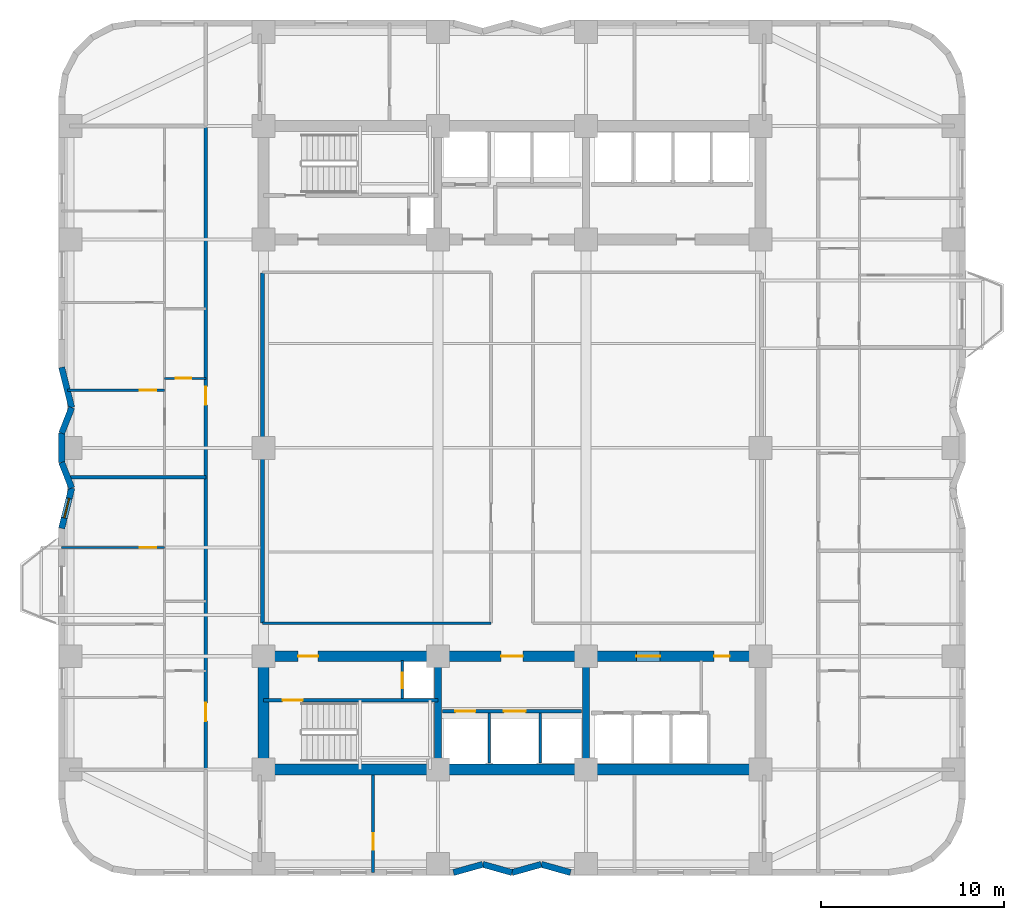
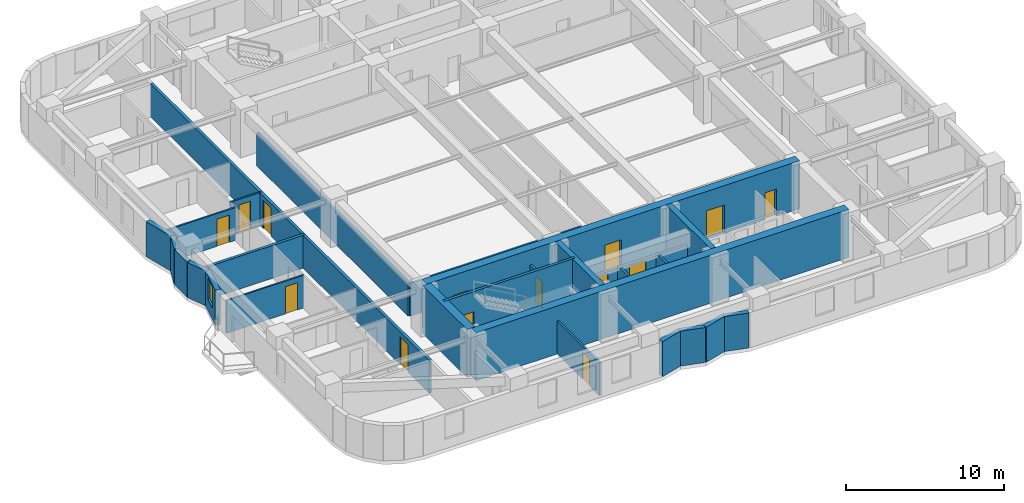
# One storey, part 3 of 9: 27 walls, 14 doors, 1 window, 15 openings.
"""IFC4 building model written with IfcOpenShell, lengths in metres."""

from ifc_helpers import new_model, si_unit, direction, frame, frame_2d, origin, place, context, subcontext, project, spatial, rectangle, extrude, material, layer, layer_set, type_object, element, fill, save


model = new_model("IFC4")

# Units and contexts
model_context = context("Model", 3, precision=1e-05, world=origin(), true_north=direction((0.0, 1.0)))
body_context = subcontext(model_context, "Body", "Model", "MODEL_VIEW")
ifc_project = project(units=[si_unit("LENGTHUNIT", "METRE"), si_unit("AREAUNIT", "SQUARE_METRE"), si_unit("VOLUMEUNIT", "CUBIC_METRE"), si_unit("PLANEANGLEUNIT", "RADIAN"), si_unit("MASSUNIT", "GRAM", prefix="KILO")], contexts=[model_context])

# Site, building, storey
site_placement = place(None, origin())
site = spatial("IfcSite", under=ifc_project, at=site_placement, CompositionType="ELEMENT")
building_placement = place(site_placement, origin())
building = spatial("IfcBuilding", under=site, at=building_placement, Name="Svetorya Sky Lyceum", CompositionType="ELEMENT")
storey_placement = place(building_placement, frame((0.0, 0.0, 32.5)))
storey = spatial("IfcBuildingStorey", under=building, at=storey_placement, Name="L07", CompositionType="ELEMENT", Elevation=32.5)

# Walls
ifc_material_1 = material(Name="Concrete C40/50", Category="concrete")
ifc_layer_1 = layer(ifc_material_1, 0.39990234375)
ifc_layer_set_1 = layer_set([ifc_layer_1], Name="Concrete C40/50")
wall_type_1 = type_object("IfcWallType", Name="WL-CORE-400", PredefinedType="SHEAR", material=ifc_layer_set_1)
for number, where, z_axis, x_axis, name in (
    (1, (35.14990234375, 10.89990234375, 0.0), (0.0, 0.0, 1.0), (0.0, 1.0, 0.0), "L07 SC Internal Shear Web WEB1"),
    (2, (43.25, 10.89990234375, 0.0), (0.0, 0.0, 1.0), (0.0, 1.0, 0.0), "L07 SC Internal Shear Web WEB2"),
):
    element("IfcWall", number, at=place(storey_placement, frame(where, z_axis=z_axis, x_axis=x_axis)), inside=storey, type_object=wall_type_1, Name=name, PredefinedType="SHEAR", context=body_context, shape_type="SweptSolid", body=[
        extrude(rectangle(XDim=5.60009765625, YDim=0.39990234375, at=frame_2d((2.800048828125, 0.0))), origin(), (0.0, 0.0, 1.0), 3.699951171875),
    ])
ifc_material_2 = material(Name="Concrete C60/75", Category="concrete")
ifc_layer_2 = layer(ifc_material_2, 0.60009765625)
ifc_layer_set_2 = layer_set([ifc_layer_2], Name="Concrete C60/75")
wall_type_2 = type_object("IfcWallType", Name="WL-CORE-600", PredefinedType="SHEAR", material=ifc_layer_set_2)
wall_1_placement = place(storey_placement, frame((52.800048828125, 10.60009765625, 0.0), z_axis=(0.0, 0.0, 1.0), x_axis=(-1.0, 0.0, 0.0)))
element("IfcWall", 3, at=wall_1_placement, inside=storey, type_object=wall_type_2, Name="L07 SC Outer Core Shear Wall", PredefinedType="SHEAR", context=body_context, shape_type="SweptSolid", body=[
    extrude(rectangle(XDim=27.199951171875, YDim=0.60009765625, at=frame_2d((13.60009765625, 0.0))), origin(), (0.0, 0.0, 1.0), 3.699951171875),
])
wall_2_placement = place(storey_placement, frame((25.60009765625, 10.89990234375, 0.0), z_axis=(0.0, 0.0, 1.0), x_axis=(0.0, 1.0, 0.0)))
element("IfcWall", 4, at=wall_2_placement, inside=storey, type_object=wall_type_2, Name="L07 SC West Core Shear Wall", PredefinedType="SHEAR", context=body_context, shape_type="SweptSolid", body=[
    extrude(rectangle(XDim=5.60009765625, YDim=0.60009765625, at=frame_2d((2.800048828125, 0.0))), origin(), (0.0, 0.0, 1.0), 3.699951171875),
])

# Wall, openings, doors
wall_3_placement = place(storey_placement, frame((25.60009765625, 16.800048828125, 0.0), z_axis=(0.0, 0.0, 1.0), x_axis=(1.0, 0.0, 0.0)))
wall_3 = element("IfcWall", 5, at=wall_3_placement, inside=storey, type_object=wall_type_2, Name="L07 SC Inner Core Shear Wall", PredefinedType="SHEAR", context=body_context, shape_type="SweptSolid", body=[
    extrude(rectangle(XDim=27.199951171875, YDim=0.60009765625, at=frame_2d((13.60009765625, 0.0))), origin(), (0.0, 0.0, 1.0), 3.699951171875),
])
opening_1_placement = place(wall_3_placement, frame((1.89990234375, 0.0, 0.0)))
opening_1 = element("IfcOpeningElement", 6, at=opening_1_placement, cuts=wall_3, Name="Opening D-ST1", PredefinedType="OPENING", context=body_context, shape_type="SweptSolid", body=[
    extrude(rectangle(XDim=1.10009765625, YDim=2.14990234375, at=frame_2d((0.550048828125, 1.074951171875))), frame((0.0, 0.31005859375, 0.0), z_axis=(0.0, -1.0, 0.0), x_axis=(1.0, 0.0, 0.0)), (0.0, 0.0, 1.0), 0.6201171875),
])
opening_2_placement = place(wall_3_placement, frame((13.0, 0.0, 0.0)))
opening_2 = element("IfcOpeningElement", 7, at=opening_2_placement, cuts=wall_3, Name="Opening D-FL1", PredefinedType="OPENING", context=body_context, shape_type="SweptSolid", body=[
    extrude(rectangle(XDim=1.199951171875, YDim=2.14990234375, at=frame_2d((0.60009765625, 1.074951171875))), frame((0.0, 0.31005859375, 0.0), z_axis=(0.0, -1.0, 0.0), x_axis=(1.0, 0.0, 0.0)), (0.0, 0.0, 1.0), 0.6201171875),
])
opening_3_placement = place(wall_3_placement, frame((20.39990234375, 0.0, 0.0)))
opening_3 = element("IfcOpeningElement", 8, at=opening_3_placement, cuts=wall_3, Name="Opening D-LB1", PredefinedType="OPENING", context=body_context, shape_type="SweptSolid", body=[
    extrude(rectangle(XDim=1.300048828125, YDim=2.199951171875, at=frame_2d((0.64990234375, 1.10009765625))), frame((0.0, 0.31005859375, 0.0), z_axis=(0.0, -1.0, 0.0), x_axis=(1.0, 0.0, 0.0)), (0.0, 0.0, 1.0), 0.6201171875),
])
opening_4_placement = place(wall_3_placement, frame((24.64990234375, 0.0, 0.0)))
opening_4 = element("IfcOpeningElement", 9, at=opening_4_placement, cuts=wall_3, Name="Opening D-CWC1", PredefinedType="OPENING", context=body_context, shape_type="SweptSolid", body=[
    extrude(rectangle(XDim=0.85009765625, YDim=2.10009765625, at=frame_2d((0.425048828125, 1.050048828125))), frame((0.0, 0.31005859375, 0.0), z_axis=(0.0, -1.0, 0.0), x_axis=(1.0, 0.0, 0.0)), (0.0, 0.0, 1.0), 0.6201171875),
])
ifc_material_3 = material(Name="Fire-rated galvanized steel core service closet door", Category="steel")
door_type_1 = type_object("IfcDoorType", Name="DR-CWET-850", OperationType="SINGLE_SWING_LEFT", PredefinedType="DOOR", material=ifc_material_3)
door_1_placement = place(opening_4_placement, origin())
door_1 = element("IfcDoor", 10, at=door_1_placement, inside=storey, type_object=door_type_1, Name="L07 South Core Auxiliary Door", OperationType="SINGLE_SWING_LEFT", OverallHeight=2.10009765625, OverallWidth=0.85009765625, PredefinedType="DOOR", context=body_context, shape_type="SweptSolid", body=[
    extrude(rectangle(XDim=0.85009765625, YDim=2.10009765625, at=frame_2d((0.425048828125, 1.050048828125))), frame((0.0, 0.02490234375, 0.0), z_axis=(0.0, -1.0, 0.0), x_axis=(1.0, 0.0, 0.0)), (0.0, 0.0, 1.0), 0.050048828125),
])
fill(opening_4, door_1)
ifc_material_4 = material(Name="Powder-coated insulated galvanized stair fire door")
door_type_2 = type_object("IfcDoorType", Name="DR-FIRE-1100", OperationType="SINGLE_SWING_LEFT", PredefinedType="DOOR", material=ifc_material_4)
door_2_placement = place(opening_1_placement, origin())
door_2 = element("IfcDoor", 11, at=door_2_placement, inside=storey, type_object=door_type_2, Name="L07 South Stair Airlock Door", OperationType="SINGLE_SWING_RIGHT", OverallHeight=2.14990234375, OverallWidth=1.10009765625, PredefinedType="DOOR", context=body_context, shape_type="SweptSolid", body=[
    extrude(rectangle(XDim=1.10009765625, YDim=2.14990234375, at=frame_2d((0.550048828125, 1.074951171875))), frame((0.0, 0.02490234375, 0.0), z_axis=(0.0, -1.0, 0.0), x_axis=(1.0, 0.0, 0.0)), (0.0, 0.0, 1.0), 0.050048828125),
])
fill(opening_1, door_2)
ifc_material_5 = material(Name="Powder-coated insulated galvanized fire door")
door_type_3 = type_object("IfcDoorType", Name="DR-FIRE-1200", OperationType="SINGLE_SWING_LEFT", PredefinedType="DOOR", material=ifc_material_5)
door_3_placement = place(opening_2_placement, origin())
door_3 = element("IfcDoor", 12, at=door_3_placement, inside=storey, type_object=door_type_3, Name="L07 South Firefighting Lift Lobby Door", OperationType="SINGLE_SWING_LEFT", OverallHeight=2.14990234375, OverallWidth=1.199951171875, PredefinedType="DOOR", context=body_context, shape_type="SweptSolid", body=[
    extrude(rectangle(XDim=1.199951171875, YDim=2.14990234375, at=frame_2d((0.60009765625, 1.074951171875))), frame((0.0, 0.02490234375, 0.0), z_axis=(0.0, -1.0, 0.0), x_axis=(1.0, 0.0, 0.0)), (0.0, 0.0, 1.0), 0.050048828125),
])
fill(opening_2, door_3)
ifc_material_6 = material(Name="Glazed fire-rated aluminium lobby door", Category="aluminium")
door_type_4 = type_object("IfcDoorType", Name="DR-LOB-1300", OperationType="SINGLE_SWING_LEFT", PredefinedType="DOOR", material=ifc_material_6)
door_4_placement = place(opening_3_placement, origin())
door_4 = element("IfcDoor", 13, at=door_4_placement, inside=storey, type_object=door_type_4, Name="L07 Low-Rise Lift Lobby Door", OperationType="SINGLE_SWING_RIGHT", OverallHeight=2.199951171875, OverallWidth=1.300048828125, PredefinedType="DOOR", context=body_context, shape_type="SweptSolid", body=[
    extrude(rectangle(XDim=1.300048828125, YDim=2.199951171875, at=frame_2d((0.64990234375, 1.10009765625))), frame((0.0, 0.02490234375, 0.0), z_axis=(0.0, -1.0, 0.0), x_axis=(1.0, 0.0, 0.0)), (0.0, 0.0, 1.0), 0.050048828125),
])
fill(opening_3, door_4)

# Walls
ifc_material_7 = material(Name="Putilovo limestone rainscreen on autoclaved cellular masonry", Category="masonry")
ifc_layer_3 = layer(ifc_material_7, 0.340087890625)
ifc_layer_set_3 = layer_set([ifc_layer_3], Name="Putilovo limestone rainscreen on autoclaved cellular masonry")
wall_type_3 = type_object("IfcWallType", Name="WL-EXT-340", PredefinedType="SOLIDWALL", material=ifc_layer_set_3)
wall_4_placement = place(storey_placement, frame((36.0, 4.969970703125, 0.0), z_axis=(0.0, 0.0, 1.0), x_axis=(0.962662902433, 0.270703040766, 0.0)))
element("IfcWall", 14, at=wall_4_placement, inside=storey, type_object=wall_type_3, Name="L07 Limestone Exterior Wall 7M", PredefinedType="SOLIDWALL", context=body_context, shape_type="SweptSolid", body=[
    extrude(rectangle(XDim=1.662109375, YDim=0.340087890625, at=frame_2d((0.8310546875, 0.0))), origin(), (0.0, 0.0, 1.0), 2.699951171875),
])
wall_5_placement = place(storey_placement, frame((37.60009765625, 5.419921875, 0.0), z_axis=(0.0, 0.0, 1.0), x_axis=(0.962652136636, -0.270741322725, 0.0)))
element("IfcWall", 15, at=wall_5_placement, inside=storey, type_object=wall_type_3, Name="L07 Limestone Exterior Wall 8M", PredefinedType="SOLIDWALL", context=body_context, shape_type="SweptSolid", body=[
    extrude(rectangle(XDim=1.661865234375, YDim=0.340087890625, at=frame_2d((0.8310546875, 0.0))), origin(), (0.0, 0.0, 1.0), 2.699951171875),
])
wall_6_placement = place(storey_placement, frame((39.199951171875, 4.969970703125, 0.0), z_axis=(0.0, 0.0, 1.0), x_axis=(0.962662902433, 0.270703040766, 0.0)))
element("IfcWall", 16, at=wall_6_placement, inside=storey, type_object=wall_type_3, Name="L07 Limestone Exterior Wall 9M", PredefinedType="SOLIDWALL", context=body_context, shape_type="SweptSolid", body=[
    extrude(rectangle(XDim=1.662109375, YDim=0.340087890625, at=frame_2d((0.8310546875, 0.0))), origin(), (0.0, 0.0, 1.0), 2.699951171875),
])
wall_7_placement = place(storey_placement, frame((40.800048828125, 5.419921875, 0.0), z_axis=(0.0, 0.0, 1.0), x_axis=(0.962652136636, -0.270741322725, 0.0)))
element("IfcWall", 17, at=wall_7_placement, inside=storey, type_object=wall_type_3, Name="L07 Limestone Exterior Wall 10M", PredefinedType="SOLIDWALL", context=body_context, shape_type="SweptSolid", body=[
    extrude(rectangle(XDim=1.661865234375, YDim=0.340087890625, at=frame_2d((0.8310546875, 0.0))), origin(), (0.0, 0.0, 1.0), 2.699951171875),
])
wall_8_placement = place(storey_placement, frame((14.570068359375, 32.60009765625, 0.0), z_axis=(0.0, 0.0, 1.0), x_axis=(0.242535625036, -0.970142500145, 0.0)))
element("IfcWall", 18, at=wall_8_placement, inside=storey, type_object=wall_type_3, Name="L07 Limestone Exterior Wall 41M", PredefinedType="SOLIDWALL", context=body_context, shape_type="SweptSolid", body=[
    extrude(rectangle(XDim=2.267822265625, YDim=0.340087890625, at=frame_2d((1.1337890625, 0.0))), origin(), (0.0, 0.0, 1.0), 2.699951171875),
])
wall_9_placement = place(storey_placement, frame((15.1201171875, 30.39990234375, 0.0), z_axis=(0.0, 0.0, 1.0), x_axis=(-0.365702591843, -0.930731762818, 0.0)))
element("IfcWall", 19, at=wall_9_placement, inside=storey, type_object=wall_type_3, Name="L07 Limestone Exterior Wall 42M", PredefinedType="SOLIDWALL", context=body_context, shape_type="SweptSolid", body=[
    extrude(rectangle(XDim=1.504150390625, YDim=0.340087890625, at=frame_2d((0.751953125, 0.0))), origin(), (0.0, 0.0, 1.0), 2.699951171875),
])
wall_10_placement = place(storey_placement, frame((14.570068359375, 29.0, 0.0), z_axis=(0.0, 0.0, 1.0), x_axis=(0.0, -1.0, 0.0)))
element("IfcWall", 20, at=wall_10_placement, inside=storey, type_object=wall_type_3, Name="L07 Limestone Exterior Wall 43M", PredefinedType="SOLIDWALL", context=body_context, shape_type="SweptSolid", body=[
    extrude(rectangle(XDim=1.60009765625, YDim=0.340087890625, at=frame_2d((0.800048828125, 0.0))), origin(), (0.0, 0.0, 1.0), 2.699951171875),
])
wall_11_placement = place(storey_placement, frame((14.570068359375, 27.39990234375, 0.0), z_axis=(0.0, 0.0, 1.0), x_axis=(0.365702591843, -0.930731762818, 0.0)))
element("IfcWall", 21, at=wall_11_placement, inside=storey, type_object=wall_type_3, Name="L07 Limestone Exterior Wall 44M", PredefinedType="SOLIDWALL", context=body_context, shape_type="SweptSolid", body=[
    extrude(rectangle(XDim=1.504150390625, YDim=0.340087890625, at=frame_2d((0.751953125, 0.0))), origin(), (0.0, 0.0, 1.0), 2.699951171875),
])

# Wall, opening, window
wall_12_placement = place(storey_placement, frame((15.1201171875, 26.0, 0.0), z_axis=(0.0, 0.0, 1.0), x_axis=(-0.242560957029, -0.970136166796, 0.0)))
wall_12 = element("IfcWall", 22, at=wall_12_placement, inside=storey, type_object=wall_type_3, Name="L07 Limestone Exterior Wall 45M", PredefinedType="SOLIDWALL", context=body_context, shape_type="SweptSolid", body=[
    extrude(rectangle(XDim=2.267578125, YDim=0.340087890625, at=frame_2d((1.1337890625, 0.0))), origin(), (0.0, 0.0, 1.0), 2.699951171875),
])
opening_5_placement = place(wall_12_placement, frame((0.583984375, 0.0, 0.889892578125)))
opening_5 = element("IfcOpeningElement", 23, at=opening_5_placement, cuts=wall_12, Name="Opening W-R3", PredefinedType="OPENING", context=body_context, shape_type="SweptSolid", body=[
    extrude(rectangle(XDim=1.10009765625, YDim=1.64990234375, at=frame_2d((0.550048828125, 0.824951171875))), frame((0.0, 0.179931640625, 0.0), z_axis=(0.0, -1.0, 0.0), x_axis=(1.0, 0.0, 0.0)), (0.0, 0.0, 1.0), 0.360107421875),
])
ifc_material_8 = material(Name="Thermally broken aluminium frame with triple low-E glazing", Category="aluminium")
window_type = type_object("IfcWindowType", Name="WN-RES-110", PartitioningType="SINGLE_PANEL", PredefinedType="WINDOW", material=ifc_material_8)
window_placement = place(opening_5_placement, origin())
window = element("IfcWindow", 24, at=window_placement, inside=storey, type_object=window_type, Name="L07 Facade Window W-R3.45M.1", OverallHeight=1.64990234375, OverallWidth=1.10009765625, PartitioningType="SINGLE_PANEL", PredefinedType="WINDOW", context=body_context, shape_type="SweptSolid", body=[
    extrude(rectangle(XDim=1.10009765625, YDim=1.64990234375, at=frame_2d((0.550048828125, 0.824951171875))), frame((0.0, 0.030029296875, 0.0), z_axis=(0.0, -1.0, 0.0), x_axis=(1.0, 0.0, 0.0)), (0.0, 0.0, 1.0), 0.06005859375),
])
fill(opening_5, window)

# Wall, opening, door
ifc_material_9 = material(Name="Twin-stud galvanized framing with double fireboard", Category="gypsum")
ifc_layer_4 = layer(ifc_material_9, 0.1201171875)
ifc_layer_set_4 = layer_set([ifc_layer_4], Name="Twin-stud galvanized framing with double fireboard")
wall_type_4 = type_object("IfcWallType", Name="WL-PART-120", PredefinedType="PARTITIONING", material=ifc_layer_set_4)
wall_13_placement = place(storey_placement, frame((14.570068359375, 22.75, 0.0), z_axis=(0.0, 0.0, 1.0), x_axis=(1.0, 0.0, 0.0)))
wall_13 = element("IfcWall", 25, at=wall_13_placement, inside=storey, type_object=wall_type_4, Name="L07 Interior Partition W1-WL3", PredefinedType="PARTITIONING", context=body_context, shape_type="SweptSolid", body=[
    extrude(rectangle(XDim=5.6298828125, YDim=0.1201171875, at=frame_2d((2.81494140625, 0.0))), origin(), (0.0, 0.0, 1.0), 2.530029296875),
])
opening_6_placement = place(wall_13_placement, frame((4.280029296875, 0.0, 0.0)))
opening_6 = element("IfcOpeningElement", 26, at=opening_6_placement, cuts=wall_13, Name="Opening D-RM1", PredefinedType="OPENING", context=body_context, shape_type="SweptSolid", body=[
    extrude(rectangle(XDim=0.89990234375, YDim=2.10009765625, at=frame_2d((0.449951171875, 1.050048828125))), frame((0.0, 0.070068359375, 0.0), z_axis=(0.0, -1.0, 0.0), x_axis=(1.0, 0.0, 0.0)), (0.0, 0.0, 1.0), 0.14013671875),
])
ifc_material_10 = material(Name="Lacquered birch veneer internal door")
door_type_5 = type_object("IfcDoorType", Name="DR-INT-900", OperationType="SINGLE_SWING_LEFT", PredefinedType="DOOR", material=ifc_material_10)
door_5_placement = place(opening_6_placement, origin())
door_5 = element("IfcDoor", 27, at=door_5_placement, inside=storey, type_object=door_type_5, Name="Apartment W1 Bedroom 3 Door", OperationType="SINGLE_SWING_LEFT", OverallHeight=2.10009765625, OverallWidth=0.89990234375, PredefinedType="DOOR", context=body_context, shape_type="SweptSolid", body=[
    extrude(rectangle(XDim=0.89990234375, YDim=2.10009765625, at=frame_2d((0.449951171875, 1.050048828125))), frame((0.0, 0.02490234375, 0.0), z_axis=(0.0, -1.0, 0.0), x_axis=(1.0, 0.0, 0.0)), (0.0, 0.0, 1.0), 0.050048828125),
])
fill(opening_6, door_5)

wall_14_placement = place(storey_placement, frame((20.199951171875, 32.0, 0.0), z_axis=(0.0, 0.0, 1.0), x_axis=(1.0, 0.0, 0.0)))
wall_14 = element("IfcWall", 28, at=wall_14_placement, inside=storey, type_object=wall_type_4, Name="L07 Interior Partition W2-WH1", PredefinedType="PARTITIONING", context=body_context, shape_type="SweptSolid", body=[
    extrude(rectangle(XDim=2.25, YDim=0.1201171875, at=frame_2d((1.125, 0.0))), origin(), (0.0, 0.0, 1.0), 2.530029296875),
])
opening_7_placement = place(wall_14_placement, frame((0.60009765625, 0.0, 0.0)))
opening_7 = element("IfcOpeningElement", 29, at=opening_7_placement, cuts=wall_14, Name="Opening D-BT1", PredefinedType="OPENING", context=body_context, shape_type="SweptSolid", body=[
    extrude(rectangle(XDim=0.85009765625, YDim=2.10009765625, at=frame_2d((0.425048828125, 1.050048828125))), frame((0.0, 0.070068359375, 0.0), z_axis=(0.0, -1.0, 0.0), x_axis=(1.0, 0.0, 0.0)), (0.0, 0.0, 1.0), 0.14013671875),
])
ifc_material_11 = material(Name="Moisture-resistant laminate bathroom door")
door_type_6 = type_object("IfcDoorType", Name="DR-WET-850", OperationType="SINGLE_SWING_LEFT", PredefinedType="DOOR", material=ifc_material_11)
door_6_placement = place(opening_7_placement, origin())
door_6 = element("IfcDoor", 30, at=door_6_placement, inside=storey, type_object=door_type_6, Name="Apartment W2 Bathroom Door", OperationType="SINGLE_SWING_RIGHT", OverallHeight=2.10009765625, OverallWidth=0.85009765625, PredefinedType="DOOR", context=body_context, shape_type="SweptSolid", body=[
    extrude(rectangle(XDim=0.85009765625, YDim=2.10009765625, at=frame_2d((0.425048828125, 1.050048828125))), frame((0.0, 0.02490234375, 0.0), z_axis=(0.0, -1.0, 0.0), x_axis=(1.0, 0.0, 0.0)), (0.0, 0.0, 1.0), 0.050048828125),
])
fill(opening_7, door_6)

wall_15_placement = place(storey_placement, frame((14.882568359375, 31.35009765625, 0.0), z_axis=(0.0, 0.0, 1.0), x_axis=(1.0, 0.0, 0.0)))
wall_15 = element("IfcWall", 31, at=wall_15_placement, inside=storey, type_object=wall_type_4, Name="L07 Interior Partition W2-WL1", PredefinedType="PARTITIONING", context=body_context, shape_type="SweptSolid", body=[
    extrude(rectangle(XDim=5.3173828125, YDim=0.1201171875, at=frame_2d((2.65869140625, 0.0))), origin(), (0.0, 0.0, 1.0), 2.530029296875),
])
opening_8_placement = place(wall_15_placement, frame((3.967529296875, 0.0, 0.0)))
opening_8 = element("IfcOpeningElement", 32, at=opening_8_placement, cuts=wall_15, Name="Opening D-RM1", PredefinedType="OPENING", context=body_context, shape_type="SweptSolid", body=[
    extrude(rectangle(XDim=0.89990234375, YDim=2.10009765625, at=frame_2d((0.449951171875, 1.050048828125))), frame((0.0, 0.070068359375, 0.0), z_axis=(0.0, -1.0, 0.0), x_axis=(1.0, 0.0, 0.0)), (0.0, 0.0, 1.0), 0.14013671875),
])
door_7_placement = place(opening_8_placement, origin())
door_7 = element("IfcDoor", 33, at=door_7_placement, inside=storey, type_object=door_type_5, Name="Apartment W2 Master Bedroom Door", OperationType="SINGLE_SWING_RIGHT", OverallHeight=2.10009765625, OverallWidth=0.89990234375, PredefinedType="DOOR", context=body_context, shape_type="SweptSolid", body=[
    extrude(rectangle(XDim=0.89990234375, YDim=2.10009765625, at=frame_2d((0.449951171875, 1.050048828125))), frame((0.0, 0.02490234375, 0.0), z_axis=(0.0, -1.0, 0.0), x_axis=(1.0, 0.0, 0.0)), (0.0, 0.0, 1.0), 0.050048828125),
])
fill(opening_8, door_7)

ifc_material_12 = material(Name="Autoclaved cellular masonry blockwork with acoustic render", Category="masonry")
ifc_layer_5 = layer(ifc_material_12, 0.14990234375)
ifc_layer_set_5 = layer_set([ifc_layer_5], Name="Autoclaved cellular masonry blockwork with acoustic render")
wall_type_5 = type_object("IfcWallType", Name="WL-PART-150", PredefinedType="PARTITIONING", material=ifc_layer_set_5)
wall_16_placement = place(storey_placement, frame((33.199951171875, 14.5, 0.0), z_axis=(0.0, 0.0, 1.0), x_axis=(0.0, 1.0, 0.0)))
wall_16 = element("IfcWall", 34, at=wall_16_placement, inside=storey, type_object=wall_type_5, Name="L07 Interior Partition SC-AIRDIV", PredefinedType="PARTITIONING", context=body_context, shape_type="SweptSolid", body=[
    extrude(rectangle(XDim=2.080078125, YDim=0.14990234375, at=frame_2d((1.0400390625, 0.0))), origin(), (0.0, 0.0, 1.0), 2.530029296875),
])
opening_9_placement = place(wall_16_placement, frame((0.550048828125, 0.0, 0.0)))
opening_9 = element("IfcOpeningElement", 35, at=opening_9_placement, cuts=wall_16, Name="Opening D-SH1", PredefinedType="OPENING", context=body_context, shape_type="SweptSolid", body=[
    extrude(rectangle(XDim=0.85009765625, YDim=2.050048828125, at=frame_2d((0.425048828125, 1.02490234375))), frame((0.0, 0.0849609375, 0.0), z_axis=(0.0, -1.0, 0.0), x_axis=(1.0, 0.0, 0.0)), (0.0, 0.0, 1.0), 0.169921875),
])
ifc_material_13 = material(Name="Insulated galvanized riser inspection fire door")
door_type_7 = type_object("IfcDoorType", Name="DR-SHFT-850", OperationType="SINGLE_SWING_LEFT", PredefinedType="TRAPDOOR", material=ifc_material_13)
door_8_placement = place(opening_9_placement, origin())
door_8 = element("IfcDoor", 36, at=door_8_placement, inside=storey, type_object=door_type_7, Name="L07 South Riser Access Door", OperationType="SINGLE_SWING_RIGHT", OverallHeight=2.050048828125, OverallWidth=0.85009765625, PredefinedType="TRAPDOOR", context=body_context, shape_type="SweptSolid", body=[
    extrude(rectangle(XDim=0.85009765625, YDim=2.050048828125, at=frame_2d((0.425048828125, 1.02490234375))), frame((0.0, 0.02490234375, 0.0), z_axis=(0.0, -1.0, 0.0), x_axis=(1.0, 0.0, 0.0)), (0.0, 0.0, 1.0), 0.050048828125),
])
fill(opening_9, door_8)

# Walls
for number, where, z_axis, x_axis, name in (
    (37, (37.949951171875, 10.949951171875, 0.0), (0.0, 0.0, 1.0), (0.0, 1.0, 0.0), "L07 Interior Partition SC-SHD1"),
    (38, (40.75, 10.949951171875, 0.0), (0.0, 0.0, 1.0), (0.0, 1.0, 0.0), "L07 Interior Partition SC-SHD2"),
):
    element("IfcWall", number, at=place(storey_placement, frame(where, z_axis=z_axis, x_axis=x_axis)), inside=storey, type_object=wall_type_5, Name=name, PredefinedType="PARTITIONING", context=body_context, shape_type="SweptSolid", body=[
        extrude(rectangle(XDim=2.75, YDim=0.14990234375, at=frame_2d((1.375, 0.0))), origin(), (0.0, 0.0, 1.0), 2.530029296875),
    ])
wall_17_placement = place(storey_placement, frame((25.550048828125, 18.60009765625, 0.0), z_axis=(0.0, 0.0, 1.0), x_axis=(1.0, 0.0, 0.0)))
element("IfcWall", 39, at=wall_17_placement, inside=storey, type_object=wall_type_5, Name="L07 Interior Partition CS-MID-W", PredefinedType="PARTITIONING", context=body_context, shape_type="SweptSolid", body=[
    extrude(rectangle(XDim=12.5, YDim=0.14990234375, at=frame_2d((6.25, 0.0))), origin(), (0.0, 0.0, 1.0), 2.530029296875),
])

# Wall, opening, door
wall_18_placement = place(storey_placement, frame((31.60009765625, 4.969970703125, 0.0), z_axis=(0.0, 0.0, 1.0), x_axis=(0.0, 1.0, 0.0)))
wall_18 = element("IfcWall", 40, at=wall_18_placement, inside=storey, type_object=wall_type_5, Name="L07 Interior Partition S-D1", PredefinedType="PARTITIONING", context=body_context, shape_type="SweptSolid", body=[
    extrude(rectangle(XDim=5.330078125, YDim=0.14990234375, at=frame_2d((2.6650390625, 0.0))), origin(), (0.0, 0.0, 1.0), 2.530029296875),
])
opening_10_placement = place(wall_18_placement, frame((1.25, 0.0, 0.0)))
opening_10 = element("IfcOpeningElement", 41, at=opening_10_placement, cuts=wall_18, Name="Opening D-RM1", PredefinedType="OPENING", context=body_context, shape_type="SweptSolid", body=[
    extrude(rectangle(XDim=0.89990234375, YDim=2.10009765625, at=frame_2d((0.449951171875, 1.050048828125))), frame((0.0, 0.0849609375, 0.0), z_axis=(0.0, -1.0, 0.0), x_axis=(1.0, 0.0, 0.0)), (0.0, 0.0, 1.0), 0.169921875),
])
door_9_placement = place(opening_10_placement, origin())
door_9 = element("IfcDoor", 42, at=door_9_placement, inside=storey, type_object=door_type_5, Name="L07 South Store Door", OperationType="SINGLE_SWING_LEFT", OverallHeight=2.10009765625, OverallWidth=0.89990234375, PredefinedType="DOOR", context=body_context, shape_type="SweptSolid", body=[
    extrude(rectangle(XDim=0.89990234375, YDim=2.10009765625, at=frame_2d((0.449951171875, 1.050048828125))), frame((0.0, 0.02490234375, 0.0), z_axis=(0.0, -1.0, 0.0), x_axis=(1.0, 0.0, 0.0)), (0.0, 0.0, 1.0), 0.050048828125),
])
fill(opening_10, door_9)

# Wall, openings, doors
ifc_material_14 = material(Name="Autoclaved cellular masonry blockwork with gypsum plaster", Category="masonry")
ifc_layer_6 = layer(ifc_material_14, 0.199951171875)
ifc_layer_set_6 = layer_set([ifc_layer_6], Name="Autoclaved cellular masonry blockwork with gypsum plaster")
wall_type_6 = type_object("IfcWallType", Name="WL-PART-200", PredefinedType="PARTITIONING", material=ifc_layer_set_6)
wall_19_placement = place(storey_placement, frame((35.39990234375, 13.800048828125, 0.0), z_axis=(0.0, 0.0, 1.0), x_axis=(1.0, 0.0, 0.0)))
wall_19 = element("IfcWall", 43, at=wall_19_placement, inside=storey, type_object=wall_type_6, Name="L07 Interior Partition SC-FLW", PredefinedType="PARTITIONING", context=body_context, shape_type="SweptSolid", body=[
    extrude(rectangle(XDim=7.60009765625, YDim=0.199951171875, at=frame_2d((3.800048828125, 0.0))), origin(), (0.0, 0.0, 1.0), 2.300048828125),
])
opening_11_placement = place(wall_19_placement, frame((0.699951171875, 0.0, 0.0)))
opening_11 = element("IfcOpeningElement", 44, at=opening_11_placement, cuts=wall_19, Name="Opening LD-FL", PredefinedType="OPENING", context=body_context, shape_type="SweptSolid", body=[
    extrude(rectangle(XDim=1.10009765625, YDim=2.14990234375, at=frame_2d((0.550048828125, 1.074951171875))), frame((0.0, 0.10986328125, 0.0), z_axis=(0.0, -1.0, 0.0), x_axis=(1.0, 0.0, 0.0)), (0.0, 0.0, 1.0), 0.219970703125),
])
opening_12_placement = place(wall_19_placement, frame((3.35009765625, 0.0, 0.0)))
opening_12 = element("IfcOpeningElement", 45, at=opening_12_placement, cuts=wall_19, Name="Opening LD-SV", PredefinedType="OPENING", context=body_context, shape_type="SweptSolid", body=[
    extrude(rectangle(XDim=1.199951171875, YDim=2.14990234375, at=frame_2d((0.60009765625, 1.074951171875))), frame((0.0, 0.10986328125, 0.0), z_axis=(0.0, -1.0, 0.0), x_axis=(1.0, 0.0, 0.0)), (0.0, 0.0, 1.0), 0.219970703125),
])
ifc_material_15 = material(Name="Fire-rated stainless AISI 304 firefighting lift landing door")
door_type_8 = type_object("IfcDoorType", Name="DR-LIFT-1100", OperationType="SLIDING_TO_LEFT", PredefinedType="DOOR", material=ifc_material_15)
door_10_placement = place(opening_11_placement, origin())
door_10 = element("IfcDoor", 46, at=door_10_placement, inside=storey, type_object=door_type_8, Name="L07 Firefighting Lift FL2 Landing Door", OperationType="SLIDING_TO_LEFT", OverallHeight=2.14990234375, OverallWidth=1.10009765625, PredefinedType="DOOR", context=body_context, shape_type="SweptSolid", body=[
    extrude(rectangle(XDim=1.10009765625, YDim=2.14990234375, at=frame_2d((0.550048828125, 1.074951171875))), frame((0.0, 0.02490234375, 0.0), z_axis=(0.0, -1.0, 0.0), x_axis=(1.0, 0.0, 0.0)), (0.0, 0.0, 1.0), 0.050048828125),
])
fill(opening_11, door_10)
ifc_material_16 = material(Name="Brushed stainless AISI 304 telescopic lift landing door")
door_type_9 = type_object("IfcDoorType", Name="DR-LIFT-1200", OperationType="SLIDING_TO_LEFT", PredefinedType="DOOR", material=ifc_material_16)
door_11_placement = place(opening_12_placement, origin())
door_11 = element("IfcDoor", 47, at=door_11_placement, inside=storey, type_object=door_type_9, Name="L07 Service Lift SVL1 Landing Door", OperationType="SLIDING_TO_LEFT", OverallHeight=2.14990234375, OverallWidth=1.199951171875, PredefinedType="DOOR", context=body_context, shape_type="SweptSolid", body=[
    extrude(rectangle(XDim=1.199951171875, YDim=2.14990234375, at=frame_2d((0.60009765625, 1.074951171875))), frame((0.0, 0.02490234375, 0.0), z_axis=(0.0, -1.0, 0.0), x_axis=(1.0, 0.0, 0.0)), (0.0, 0.0, 1.0), 0.050048828125),
])
fill(opening_12, door_11)

# Walls
wall_20_placement = place(storey_placement, frame((25.550048828125, 18.6298828125, 0.0), z_axis=(0.0, 0.0, 1.0), x_axis=(0.0, 1.0, 0.0)))
element("IfcWall", 48, at=wall_20_placement, inside=storey, type_object=wall_type_6, Name="L07 Interior Partition W-CEN-SEP", PredefinedType="PARTITIONING", context=body_context, shape_type="SweptSolid", body=[
    extrude(rectangle(XDim=19.14013671875, YDim=0.199951171875, at=frame_2d((9.570068359375, 0.0))), origin(), (0.0, 0.0, 1.0), 2.530029296875),
])
wall_21_placement = place(storey_placement, frame((14.88427734375, 26.60009765625, 0.0), z_axis=(0.0, 0.0, 1.0), x_axis=(1.0, 0.0, 0.0)))
element("IfcWall", 49, at=wall_21_placement, inside=storey, type_object=wall_type_6, Name="L07 Interior Partition W-PARTY-1", PredefinedType="PARTITIONING", context=body_context, shape_type="SweptSolid", body=[
    extrude(rectangle(XDim=7.565673828125, YDim=0.199951171875, at=frame_2d((3.78271484375, 0.0))), origin(), (0.0, 0.0, 1.0), 2.530029296875),
])

# Wall, openings, doors
wall_22_placement = place(storey_placement, frame((22.449951171875, 10.60009765625, 0.0), z_axis=(0.0, 0.0, 1.0), x_axis=(0.0, 1.0, 0.0)))
wall_22 = element("IfcWall", 50, at=wall_22_placement, inside=storey, type_object=wall_type_6, Name="L07 Interior Partition W-CORRW", PredefinedType="PARTITIONING", context=body_context, shape_type="SweptSolid", body=[
    extrude(rectangle(XDim=35.199951171875, YDim=0.199951171875, at=frame_2d((17.60009765625, 0.0))), origin(), (0.0, 0.0, 1.0), 2.530029296875),
])
opening_13_placement = place(wall_22_placement, frame((2.64990234375, 0.0, 0.0)))
opening_13 = element("IfcOpeningElement", 51, at=opening_13_placement, cuts=wall_22, Name="Opening D-APT1", PredefinedType="OPENING", context=body_context, shape_type="SweptSolid", body=[
    extrude(rectangle(XDim=1.0, YDim=2.14990234375, at=frame_2d((0.5, 1.074951171875))), frame((0.0, 0.10986328125, 0.0), z_axis=(0.0, -1.0, 0.0), x_axis=(1.0, 0.0, 0.0)), (0.0, 0.0, 1.0), 0.219970703125),
])
opening_14_placement = place(wall_22_placement, frame((19.949951171875, 0.0, 0.0)))
opening_14 = element("IfcOpeningElement", 52, at=opening_14_placement, cuts=wall_22, Name="Opening D-APT1", PredefinedType="OPENING", context=body_context, shape_type="SweptSolid", body=[
    extrude(rectangle(XDim=1.0, YDim=2.14990234375, at=frame_2d((0.5, 1.074951171875))), frame((0.0, 0.10986328125, 0.0), z_axis=(0.0, -1.0, 0.0), x_axis=(1.0, 0.0, 0.0)), (0.0, 0.0, 1.0), 0.219970703125),
])
ifc_material_17 = material(Name="Insulated oak-veneered apartment entrance door")
door_type_10 = type_object("IfcDoorType", Name="DR-APT-1000", OperationType="SINGLE_SWING_LEFT", PredefinedType="DOOR", material=ifc_material_17)
door_12_placement = place(opening_13_placement, origin())
door_12 = element("IfcDoor", 53, at=door_12_placement, inside=storey, type_object=door_type_10, Name="L07 Apartment W1 Entrance Door", OperationType="SINGLE_SWING_LEFT", OverallHeight=2.14990234375, OverallWidth=1.0, PredefinedType="DOOR", context=body_context, shape_type="SweptSolid", body=[
    extrude(rectangle(XDim=1.0, YDim=2.14990234375, at=frame_2d((0.5, 1.074951171875))), frame((0.0, 0.02490234375, 0.0), z_axis=(0.0, -1.0, 0.0), x_axis=(1.0, 0.0, 0.0)), (0.0, 0.0, 1.0), 0.050048828125),
])
fill(opening_13, door_12)
door_13_placement = place(opening_14_placement, origin())
door_13 = element("IfcDoor", 54, at=door_13_placement, inside=storey, type_object=door_type_10, Name="L07 Apartment W2 Entrance Door", OperationType="SINGLE_SWING_RIGHT", OverallHeight=2.14990234375, OverallWidth=1.0, PredefinedType="DOOR", context=body_context, shape_type="SweptSolid", body=[
    extrude(rectangle(XDim=1.0, YDim=2.14990234375, at=frame_2d((0.5, 1.074951171875))), frame((0.0, 0.02490234375, 0.0), z_axis=(0.0, -1.0, 0.0), x_axis=(1.0, 0.0, 0.0)), (0.0, 0.0, 1.0), 0.050048828125),
])
fill(opening_14, door_13)

# Wall, opening, door
ifc_material_18 = material(Name="Concrete C50/60", Category="concrete")
ifc_layer_7 = layer(ifc_material_18, 0.199951171875)
ifc_layer_set_7 = layer_set([ifc_layer_7], Name="Concrete C50/60")
wall_type_7 = type_object("IfcWallType", Name="WL-SHW-200", PredefinedType="SHEAR", material=ifc_layer_set_7)
wall_23_placement = place(storey_placement, frame((25.60009765625, 14.39990234375, 0.0), z_axis=(0.0, 0.0, 1.0), x_axis=(1.0, 0.0, 0.0)))
wall_23 = element("IfcWall", 55, at=wall_23_placement, inside=storey, type_object=wall_type_7, Name="L07 Structural Stair Shaft Wall SC-STW", PredefinedType="SHEAR", context=body_context, shape_type="SweptSolid", body=[
    extrude(rectangle(XDim=9.5498046875, YDim=0.199951171875, at=frame_2d((4.77490234375, 0.0))), origin(), (0.0, 0.0, 1.0), 3.699951171875),
])
opening_15_placement = place(wall_23_placement, frame((1.050048828125, 0.0, 0.0)))
opening_15 = element("IfcOpeningElement", 56, at=opening_15_placement, cuts=wall_23, Name="Opening D-ST1", PredefinedType="OPENING", context=body_context, shape_type="SweptSolid", body=[
    extrude(rectangle(XDim=1.10009765625, YDim=2.14990234375, at=frame_2d((0.550048828125, 1.074951171875))), frame((0.0, 0.10986328125, 0.0), z_axis=(0.0, -1.0, 0.0), x_axis=(1.0, 0.0, 0.0)), (0.0, 0.0, 1.0), 0.219970703125),
])
door_14_placement = place(opening_15_placement, origin())
door_14 = element("IfcDoor", 57, at=door_14_placement, inside=storey, type_object=door_type_2, Name="L07 Stair ST-S Vestibule Fire Door", OperationType="SINGLE_SWING_LEFT", OverallHeight=2.14990234375, OverallWidth=1.10009765625, PredefinedType="DOOR", context=body_context, shape_type="SweptSolid", body=[
    extrude(rectangle(XDim=1.10009765625, YDim=2.14990234375, at=frame_2d((0.550048828125, 1.074951171875))), frame((0.0, 0.02490234375, 0.0), z_axis=(0.0, -1.0, 0.0), x_axis=(1.0, 0.0, 0.0)), (0.0, 0.0, 1.0), 0.050048828125),
])
fill(opening_15, door_14)

save(model, "model.ifc")
